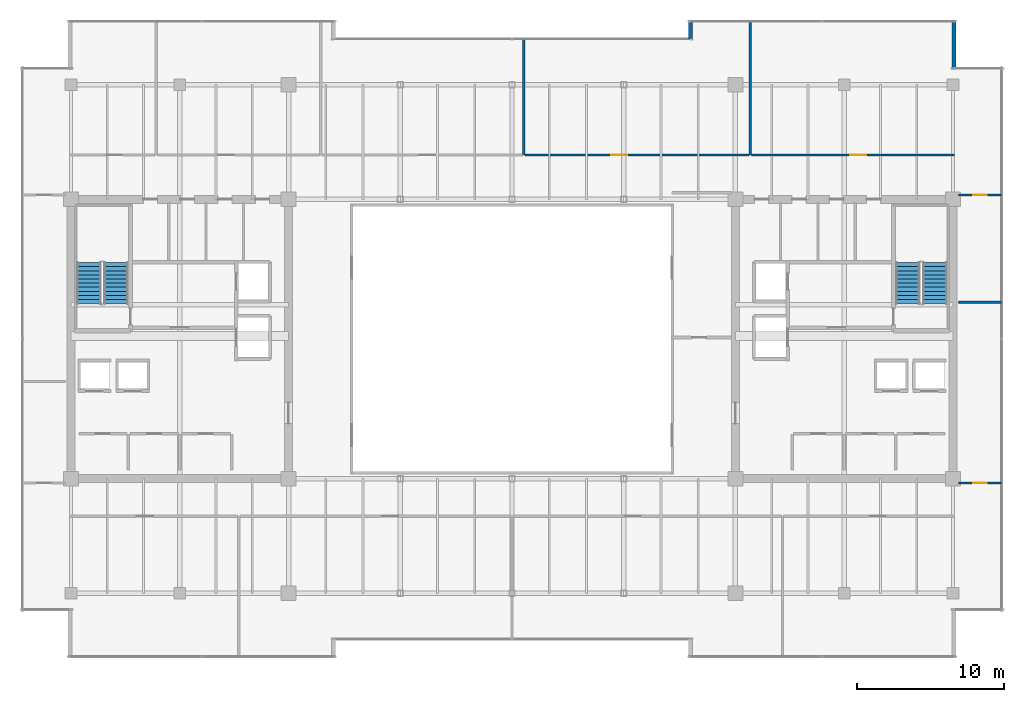
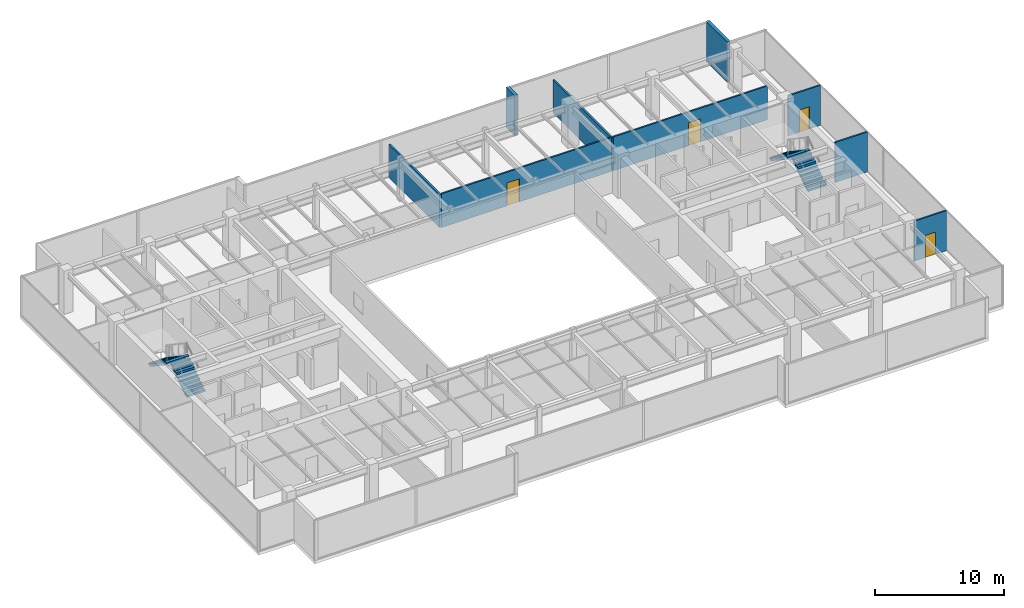
# One storey, part 31 of 33: 9 walls, 4 doors, 4 stair flights, 4 openings, 2 elements without a shape of their own.
"""IFC4 building model written with IfcOpenShell, lengths in metres."""

from ifc_helpers import new_model, si_unit, direction, frame, frame_2d, origin, place, context, subcontext, project, spatial, polyline, rectangle, outline, extrude, source, transform, mapped, material, layer, layer_set, type_object, type_shapes, element, fill, aggregate, save


model = new_model("IFC4")

# Units and contexts
model_context = context("Model", 3, precision=1e-05, world=origin(), true_north=direction((0.0, 1.0)))
body_context = subcontext(model_context, "Body", "Model", "MODEL_VIEW")
ifc_project = project(units=[si_unit("LENGTHUNIT", "METRE"), si_unit("AREAUNIT", "SQUARE_METRE"), si_unit("VOLUMEUNIT", "CUBIC_METRE"), si_unit("PLANEANGLEUNIT", "RADIAN"), si_unit("MASSUNIT", "GRAM", prefix="KILO")], contexts=[model_context])

# Site, building, storey
site_placement = place(None, origin())
site = spatial("IfcSite", under=ifc_project, at=site_placement, CompositionType="ELEMENT")
building_placement = place(site_placement, origin())
building = spatial("IfcBuilding", under=site, at=building_placement, Name="Haelvirn Gate Laboratories", CompositionType="ELEMENT")
storey_placement = place(building_placement, frame((0.0, 0.0, 258.800048828125)))
storey = spatial("IfcBuildingStorey", under=building, at=storey_placement, Name="L62", CompositionType="ELEMENT", Elevation=258.800048828125)

# Walls
ifc_material_1 = material(Name="Thermally-broken bronze aluminium rainscreen & mineral wool", Category="aluminium")
ifc_layer_1 = layer(ifc_material_1, 0.280029296875, Name="EW-TERR-280")
ifc_layer_set_1 = layer_set([ifc_layer_1], Name="Thermally-broken bronze aluminium rainscreen & mineral wool")
wall_type_1 = type_object("IfcWallType", Name="EW-TERR-280", PredefinedType="STANDARD", material=ifc_layer_set_1)
wall_1_placement = place(storey_placement, frame((67.4599609375, 42.7119140625, 0.0), z_axis=(0.0, 0.0, 1.0), x_axis=(0.0, 1.0, 0.0)))
element("IfcWall", 1, at=wall_1_placement, inside=storey, type_object=wall_type_1, Name="L62 Atrium Recess Bronze Return Wall 09", PredefinedType="STANDARD", context=body_context, shape_type="SweptSolid", body=[
    extrude(rectangle(XDim=3.2880859375, YDim=0.280029296875, at=frame_2d((1.64404296875, 0.0))), origin(), (0.0, 0.0, 1.0), 3.800048828125),
])
wall_2_placement = place(storey_placement, frame((49.5400390625, 46.0, 0.0), z_axis=(0.0, 0.0, 1.0), x_axis=(0.0, -1.0, 0.0)))
element("IfcWall", 2, at=wall_2_placement, inside=storey, type_object=wall_type_1, Name="L62 Atrium Recess Bronze Return Wall 11", PredefinedType="STANDARD", context=body_context, shape_type="SweptSolid", body=[
    extrude(rectangle(XDim=1.29296875, YDim=0.280029296875, at=frame_2d((0.646484375, 0.0))), origin(), (0.0, 0.0, 1.0), 3.800048828125),
])
ifc_material_2 = material(Name="Double-layer acoustic gypsum laboratory partition", Category="gypsum")
ifc_layer_2 = layer(ifc_material_2, 0.159912109375, Name="IW-ACOUST-160")
ifc_layer_set_2 = layer_set([ifc_layer_2], Name="Double-layer acoustic gypsum laboratory partition")
wall_type_2 = type_object("IfcWallType", Name="IW-ACOUST-160", PredefinedType="PARTITIONING", material=ifc_layer_set_2)
wall_3_placement = place(storey_placement, frame((38.199951171875, 36.81005859375, 0.0), z_axis=(0.0, 0.0, 1.0), x_axis=(0.0, 1.0, 0.0)))
element("IfcWall", 3, at=wall_3_placement, inside=storey, type_object=wall_type_2, Name="L62 Interior Wall IW-L62-NDIV-03", PredefinedType="PARTITIONING", context=body_context, shape_type="SweptSolid", body=[
    extrude(rectangle(XDim=7.8798828125, YDim=0.159912109375, at=frame_2d((3.93994140625, 0.0))), origin(), (0.0, 0.0, 1.0), 3.135009765625),
])
wall_4_placement = place(storey_placement, frame((53.60009765625, 36.81005859375, 0.0), z_axis=(0.0, 0.0, 1.0), x_axis=(0.0, 1.0, 0.0)))
element("IfcWall", 4, at=wall_4_placement, inside=storey, type_object=wall_type_2, Name="L62 Interior Wall IW-L62-NDIV-04", PredefinedType="PARTITIONING", context=body_context, shape_type="SweptSolid", body=[
    extrude(rectangle(XDim=9.079833984375, YDim=0.159912109375, at=frame_2d((4.5400390625, 0.0))), origin(), (0.0, 0.0, 1.0), 3.135009765625),
])

# Wall, opening, door
ifc_material_3 = material(Name="Acoustic mineral-wool gypsum board partition", Category="gypsum")
ifc_layer_3 = layer(ifc_material_3, 0.139892578125, Name="IW-PART-140")
ifc_layer_set_3 = layer_set([ifc_layer_3], Name="Acoustic mineral-wool gypsum board partition")
wall_type_3 = type_object("IfcWallType", Name="IW-PART-140", PredefinedType="PARTITIONING", material=ifc_layer_set_3)
wall_5_placement = place(storey_placement, frame((38.280029296875, 36.81005859375, 0.0), z_axis=(0.0, 0.0, 1.0), x_axis=(1.0, 0.0, 0.0)))
wall_5 = element("IfcWall", 5, at=wall_5_placement, inside=storey, type_object=wall_type_3, Name="L62 Interior Wall IW-L62-NCORR-04", PredefinedType="PARTITIONING", context=body_context, shape_type="SweptSolid", body=[
    extrude(rectangle(XDim=15.239990234375, YDim=0.139892578125, at=frame_2d((7.6201171875, 0.0))), origin(), (0.0, 0.0, 1.0), 3.197021484375),
])
opening_1_placement = place(wall_5_placement, frame((5.8603515625, 0.0, 0.0)))
opening_1 = element("IfcOpeningElement", 6, at=opening_1_placement, cuts=wall_5, Name="Opening D1", PredefinedType="OPENING", context=body_context, shape_type="SweptSolid", body=[
    extrude(rectangle(XDim=1.10009765625, YDim=2.179931640625, at=frame_2d((0.550048828125, 1.08984375))), frame((0.0, 0.080078125, 0.0), z_axis=(0.0, -1.0, 0.0), x_axis=(1.0, 0.0, 0.0)), (0.0, 0.0, 1.0), 0.159912109375),
])
ifc_material_4 = material(Name="Vision-panel acoustic solid-core timber lab door", Category="wood")
door_type_1 = type_object("IfcDoorType", Name="DR-LAB-1100", OperationType="NOTDEFINED", PredefinedType="DOOR", material=ifc_material_4)
shared_shape_1 = source(origin(), body_context, "Body", "SweptSolid", [
    extrude(rectangle(XDim=1.10009765625, YDim=2.179931640625, at=frame_2d((0.550048828125, 1.08984375))), frame((0.0, 0.02490234375, 0.0), z_axis=(0.0, -1.0, 0.0), x_axis=(1.0, 0.0, 0.0)), (0.0, 0.0, 1.0), 0.050048828125),
])
type_shapes(door_type_1, [shared_shape_1])
door_1_placement = place(opening_1_placement, origin())
door_1 = element("IfcDoor", 7, at=door_1_placement, inside=storey, type_object=door_type_1, Name="L62 Protocol Briefing Training Room Door N4", OperationType="SINGLE_SWING_LEFT", OverallHeight=2.179931640625, OverallWidth=1.10009765625, PredefinedType="DOOR", context=body_context, shape_type="MappedRepresentation", body=[
    mapped(shared_shape_1, transform((0.0, 0.0, 0.0), scale=1.0)),
])
fill(opening_1, door_1)

wall_6_placement = place(storey_placement, frame((53.679931640625, 36.81005859375, 0.0), z_axis=(0.0, 0.0, 1.0), x_axis=(1.0, 0.0, 0.0)))
wall_6 = element("IfcWall", 8, at=wall_6_placement, inside=storey, type_object=wall_type_3, Name="L62 Interior Wall IW-L62-NCORR-05", PredefinedType="PARTITIONING", context=body_context, shape_type="SweptSolid", body=[
    extrude(rectangle(XDim=13.81005859375, YDim=0.139892578125, at=frame_2d((6.905029296875, 0.0))), origin(), (0.0, 0.0, 1.0), 3.197021484375),
])
opening_2_placement = place(wall_6_placement, frame((6.71533203125, 0.0, 0.0)))
opening_2 = element("IfcOpeningElement", 9, at=opening_2_placement, cuts=wall_6, Name="Opening D1", PredefinedType="OPENING", context=body_context, shape_type="SweptSolid", body=[
    extrude(rectangle(XDim=1.10009765625, YDim=2.179931640625, at=frame_2d((0.550048828125, 1.08984375))), frame((0.0, 0.080078125, 0.0), z_axis=(0.0, -1.0, 0.0), x_axis=(1.0, 0.0, 0.0)), (0.0, 0.0, 1.0), 0.159912109375),
])
door_2_placement = place(opening_2_placement, origin())
door_2 = element("IfcDoor", 10, at=door_2_placement, inside=storey, type_object=door_type_1, Name="L62 Floor Hydration & Tea Servery Door N5", OperationType="SINGLE_SWING_RIGHT", OverallHeight=2.179931640625, OverallWidth=1.10009765625, PredefinedType="DOOR", context=body_context, shape_type="MappedRepresentation", body=[
    mapped(shared_shape_1, transform((0.0, 0.0, 0.0), scale=1.0)),
])
fill(opening_2, door_2)

# Wall
wall_7_placement = place(storey_placement, frame((67.780029296875, 26.800048828125, 0.0), z_axis=(0.0, 0.0, 1.0), x_axis=(1.0, 0.0, 0.0)))
element("IfcWall", 11, at=wall_7_placement, inside=storey, type_object=wall_type_3, Name="L62 Interior Wall IW-L62-EZ3-MID", PredefinedType="PARTITIONING", context=body_context, shape_type="SweptSolid", body=[
    extrude(rectangle(XDim=2.909912109375, YDim=0.139892578125, at=frame_2d((1.455078125, 0.0))), origin(), (0.0, 0.0, 1.0), 3.800048828125),
])

# Wall, opening, door
wall_8_placement = place(storey_placement, frame((67.780029296875, 14.5048828125, 0.0), z_axis=(0.0, 0.0, 1.0), x_axis=(1.0, 0.0, 0.0)))
wall_8 = element("IfcWall", 12, at=wall_8_placement, inside=storey, type_object=wall_type_3, Name="L62 Interior Wall IW-L62-EZ3-ENT-S", PredefinedType="PARTITIONING", context=body_context, shape_type="SweptSolid", body=[
    extrude(rectangle(XDim=2.909912109375, YDim=0.139892578125, at=frame_2d((1.455078125, 0.0))), origin(), (0.0, 0.0, 1.0), 3.800048828125),
])
opening_3_placement = place(wall_8_placement, frame((1.0048828125, 0.0, 0.0)))
opening_3 = element("IfcOpeningElement", 13, at=opening_3_placement, cuts=wall_8, Name="Opening D4", PredefinedType="OPENING", context=body_context, shape_type="SweptSolid", body=[
    extrude(rectangle(XDim=0.89990234375, YDim=2.10009765625, at=frame_2d((0.449951171875, 1.050048828125))), frame((0.0, 0.080078125, 0.0), z_axis=(0.0, -1.0, 0.0), x_axis=(1.0, 0.0, 0.0)), (0.0, 0.0, 1.0), 0.159912109375),
])
ifc_material_5 = material(Name="Glazed aluminium-framed write-up door", Category="aluminium")
door_type_2 = type_object("IfcDoorType", Name="DR-OFF-900", OperationType="NOTDEFINED", PredefinedType="DOOR", material=ifc_material_5)
shared_shape_2 = source(origin(), body_context, "Body", "SweptSolid", [
    extrude(rectangle(XDim=0.89990234375, YDim=2.10009765625, at=frame_2d((0.449951171875, 1.050048828125))), frame((0.0, 0.02490234375, 0.0), z_axis=(0.0, -1.0, 0.0), x_axis=(1.0, 0.0, 0.0)), (0.0, 0.0, 1.0), 0.050048828125),
])
type_shapes(door_type_2, [shared_shape_2])
door_3_placement = place(opening_3_placement, origin())
door_3 = element("IfcDoor", 14, at=door_3_placement, inside=storey, type_object=door_type_2, Name="L62 Proteomics Mass-Spec Laboratory Door E-S", OperationType="SINGLE_SWING_LEFT", OverallHeight=2.10009765625, OverallWidth=0.89990234375, PredefinedType="DOOR", context=body_context, shape_type="MappedRepresentation", body=[
    mapped(shared_shape_2, transform((0.0, 0.0, 0.0), scale=1.0)),
])
fill(opening_3, door_3)

wall_9_placement = place(storey_placement, frame((67.780029296875, 34.094970703125, 0.0), z_axis=(0.0, 0.0, 1.0), x_axis=(1.0, 0.0, 0.0)))
wall_9 = element("IfcWall", 15, at=wall_9_placement, inside=storey, type_object=wall_type_3, Name="L62 Interior Wall IW-L62-EZ3-ENT-N", PredefinedType="PARTITIONING", context=body_context, shape_type="SweptSolid", body=[
    extrude(rectangle(XDim=2.909912109375, YDim=0.139892578125, at=frame_2d((1.455078125, 0.0))), origin(), (0.0, 0.0, 1.0), 3.800048828125),
])
opening_4_placement = place(wall_9_placement, frame((1.0048828125, 0.0, 0.0)))
opening_4 = element("IfcOpeningElement", 16, at=opening_4_placement, cuts=wall_9, Name="Opening D4", PredefinedType="OPENING", context=body_context, shape_type="SweptSolid", body=[
    extrude(rectangle(XDim=0.89990234375, YDim=2.10009765625, at=frame_2d((0.449951171875, 1.050048828125))), frame((0.0, 0.080078125, 0.0), z_axis=(0.0, -1.0, 0.0), x_axis=(1.0, 0.0, 0.0)), (0.0, 0.0, 1.0), 0.159912109375),
])
door_4_placement = place(opening_4_placement, origin())
door_4 = element("IfcDoor", 17, at=door_4_placement, inside=storey, type_object=door_type_2, Name="L62 Bioprocess Foundry Laboratory Door E-N", OperationType="SINGLE_SWING_RIGHT", OverallHeight=2.10009765625, OverallWidth=0.89990234375, PredefinedType="DOOR", context=body_context, shape_type="MappedRepresentation", body=[
    mapped(shared_shape_2, transform((0.0, 0.0, 0.0), scale=1.0)),
])
fill(opening_4, door_4)

# Stair, stair flights
ifc_material_6 = material(Name="Concrete C40/50", Category="concrete")
stair_type = type_object("IfcStairType", Name="ST-DOG-1650-R22", PredefinedType="HALF_TURN_STAIR", material=ifc_material_6)
stair_1_placement = place(storey_placement, origin())
stair_1 = element("IfcStair", 18, at=stair_1_placement, inside=storey, type_object=stair_type, Name="L62 Escape Stair ST1", PredefinedType="HALF_TURN_STAIR")
stair_flight_type = type_object("IfcStairFlightType", Name="STF-1650-R11", PredefinedType="STRAIGHT", material=ifc_material_6)
shared_shape_3 = source(origin(), body_context, "Body", "SweptSolid", [
    extrude(outline(polyline([(0.0, 0.0), (0.0, 0.186279296875), (0.280029296875, 0.186279296875), (0.280029296875, 0.372802734375), (0.56005859375, 0.372802734375), (0.56005859375, 0.55908203125), (0.840087890625, 0.55908203125), (0.840087890625, 0.745361328125), (1.1201171875, 0.745361328125), (1.1201171875, 0.931884765625), (1.39990234375, 0.931884765625), (1.39990234375, 1.1181640625), (1.679931640625, 1.1181640625), (1.679931640625, 1.304443359375), (1.9599609375, 1.304443359375), (1.9599609375, 1.490966796875), (2.239990234375, 1.490966796875), (2.239990234375, 1.67724609375), (2.52001953125, 1.67724609375), (2.52001953125, 1.863525390625), (2.800048828125, 1.863525390625), (2.800048828125, 2.050048828125), (2.800048828125, 1.671630859375), (0.28857421875, 0.0), (0.0, 0.0)])), frame((0.0, 0.824951171875, 0.0), z_axis=(0.0, -1.0, 0.0), x_axis=(1.0, 0.0, 0.0)), (0.0, 0.0, 1.0), 1.64990234375),
])
type_shapes(stair_flight_type, [shared_shape_3])
stair_flight_1_placement = place(storey_placement, frame((10.47509765625, 26.699951171875, 0.0), z_axis=(0.0, 0.0, 1.0), x_axis=(0.0, 1.0, 0.0)))
stair_flight_1 = element("IfcStairFlight", 19, at=stair_flight_1_placement, type_object=stair_flight_type, Name="ST1 flight 1", NumberOfRisers=11, NumberOfTreads=10, PredefinedType="STRAIGHT", RiserHeight=0.186363636, TreadLength=0.28, context=body_context, shape_type="MappedRepresentation", body=[
    mapped(shared_shape_3, transform((0.0, 0.0, 0.0), scale=1.0)),
])
stair_flight_2_placement = place(storey_placement, frame((8.625, 29.5, 2.050048828125), z_axis=(0.0, 0.0, 1.0), x_axis=(0.0, -1.0, 0.0)))
stair_flight_2 = element("IfcStairFlight", 20, at=stair_flight_2_placement, type_object=stair_flight_type, Name="ST1 flight 2", NumberOfRisers=11, NumberOfTreads=10, PredefinedType="STRAIGHT", RiserHeight=0.186363636, TreadLength=0.28, context=body_context, shape_type="MappedRepresentation", body=[
    mapped(shared_shape_3, transform((0.0, 0.0, 0.0), scale=1.0)),
])
aggregate(stair_1, [stair_flight_1, stair_flight_2])

stair_2_placement = place(storey_placement, origin())
stair_2 = element("IfcStair", 21, at=stair_2_placement, inside=storey, type_object=stair_type, Name="L62 Escape Stair ST2", PredefinedType="HALF_TURN_STAIR")
stair_flight_3_placement = place(storey_placement, frame((66.175048828125, 26.699951171875, 0.0), z_axis=(0.0, 0.0, 1.0), x_axis=(0.0, 1.0, 0.0)))
stair_flight_3 = element("IfcStairFlight", 22, at=stair_flight_3_placement, type_object=stair_flight_type, Name="ST2 flight 1", NumberOfRisers=11, NumberOfTreads=10, PredefinedType="STRAIGHT", RiserHeight=0.186363636, TreadLength=0.28, context=body_context, shape_type="MappedRepresentation", body=[
    mapped(shared_shape_3, transform((0.0, 0.0, 0.0), scale=1.0)),
])
stair_flight_4_placement = place(storey_placement, frame((64.324951171875, 29.5, 2.050048828125), z_axis=(0.0, 0.0, 1.0), x_axis=(0.0, -1.0, 0.0)))
stair_flight_4 = element("IfcStairFlight", 23, at=stair_flight_4_placement, type_object=stair_flight_type, Name="ST2 flight 2", NumberOfRisers=11, NumberOfTreads=10, PredefinedType="STRAIGHT", RiserHeight=0.186363636, TreadLength=0.28, context=body_context, shape_type="MappedRepresentation", body=[
    mapped(shared_shape_3, transform((0.0, 0.0, 0.0), scale=1.0)),
])
aggregate(stair_2, [stair_flight_3, stair_flight_4])

save(model, "model.ifc")
